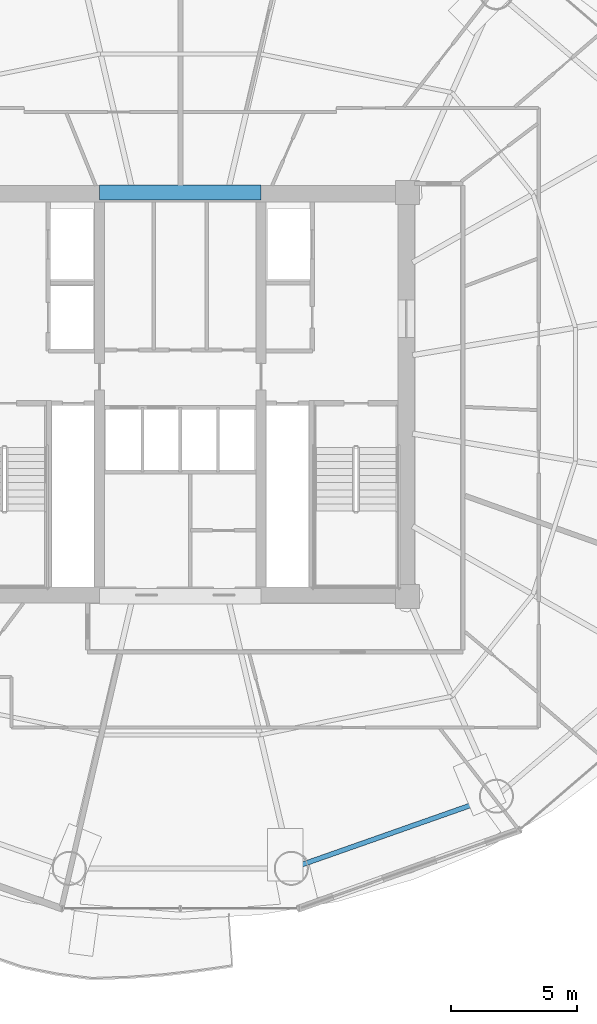
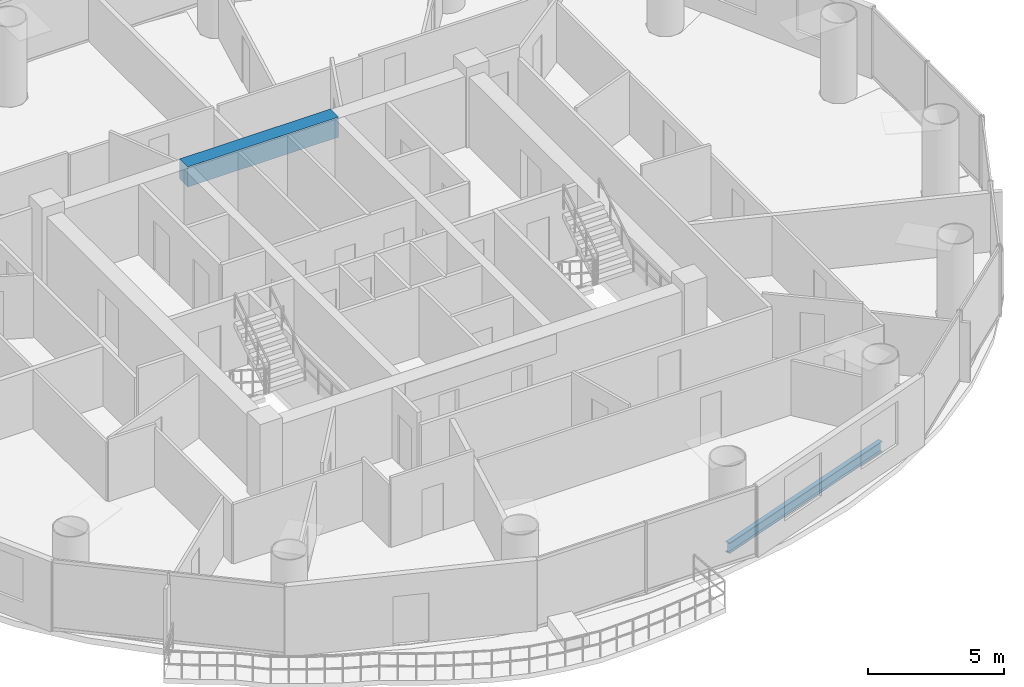
# One storey, part 9 of 26: 2 beams.
"""IFC4 building model written with IfcOpenShell, lengths in metres."""

from ifc_helpers import new_model, si_unit, direction, frame, origin, origin_2d, place, context, subcontext, project, spatial, rectangle, i_section, extrude, material, material_profile, profile_set, type_object, element, save


model = new_model("IFC4")

# Units and contexts
model_context = context("Model", 3, precision=1e-05, world=origin(), true_north=direction((-0.2419218956, 0.970295726276)))
body_context = subcontext(model_context, "Body", "Model", "MODEL_VIEW")
ifc_project = project(units=[si_unit("LENGTHUNIT", "METRE"), si_unit("AREAUNIT", "SQUARE_METRE"), si_unit("VOLUMEUNIT", "CUBIC_METRE"), si_unit("PLANEANGLEUNIT", "RADIAN"), si_unit("MASSUNIT", "GRAM", prefix="KILO")], contexts=[model_context])

# Site, building, storey
site_placement = place(None, origin())
site = spatial("IfcSite", under=ifc_project, at=site_placement, CompositionType="ELEMENT")
building_placement = place(site_placement, origin())
building = spatial("IfcBuilding", under=site, at=building_placement, Name="Cobrevalo Terracotta Tower", CompositionType="ELEMENT")
storey_placement = place(building_placement, frame((0.0, 0.0, 182.199951171875)))
storey = spatial("IfcBuildingStorey", under=building, at=storey_placement, Name="L48", CompositionType="ELEMENT", Elevation=182.199951171875)

# Beams
ifc_material_1 = material(Name="Concrete C60", Category="concrete")
ifc_material_profile_1 = material_profile(ifc_material_1, rectangle(XDim=0.60009765625, YDim=0.89990234375, at=origin_2d()), Name="RC CB 600x900")
ifc_profile_set_1 = profile_set([ifc_material_profile_1], Name="Concrete C60")
beam_type_1 = type_object("IfcBeamType", Name="Structural Beam RC CB 600x900 (Concrete C60)", PredefinedType="BEAM", material=ifc_profile_set_1)
beam_1_placement = place(storey_placement, frame((34.800048828125, 34.800048828125, 2.699951171875), z_axis=(1.0, 0.0, 0.0), x_axis=(0.0, 1.0, 0.0)))
element("IfcBeam", 1, at=beam_1_placement, inside=storey, type_object=beam_type_1, Name="L48 core coupling beam 2", PredefinedType="BEAM", context=body_context, shape_type="SweptSolid", body=[
    extrude(rectangle(XDim=0.60009765625, YDim=0.89990234375, at=origin_2d()), origin(), (0.0, 0.0, 1.0), 6.39990234375),
])
ifc_material_2 = material(Name="Steel S355", Category="steel")
ifc_material_profile_2 = material_profile(ifc_material_2, i_section(OverallWidth=0.194091796875, OverallDepth=0.468994140625, WebThickness=0.011474609375, FlangeThickness=0.0205078125, at=origin_2d()), Name="W 460x106")
ifc_profile_set_2 = profile_set([ifc_material_profile_2], Name="Steel S355")
beam_type_2 = type_object("IfcBeamType", Name="Structural Spandrel W 460x106 (Steel S355)", PredefinedType="SPANDREL", material=ifc_profile_set_2)
beam_2_placement = place(storey_placement, frame((42.399169921875, 8.01806640625, -0.50439453125), z_axis=(0.943341298492, 0.331824041565, 0.0), x_axis=(-0.331824041565, 0.943341298492, 0.0)))
element("IfcBeam", 2, at=beam_2_placement, inside=storey, type_object=beam_type_2, Name="L48 perimeter ring spandrel 13", PredefinedType="SPANDREL", context=body_context, shape_type="SweptSolid", body=[
    extrude(i_section(OverallWidth=0.194091796875, OverallDepth=0.468994140625, WebThickness=0.011474609375, FlangeThickness=0.0205078125, at=origin_2d()), origin(), (0.0, 0.0, 1.0), 8.6171875),
])

save(model, "model.ifc")
